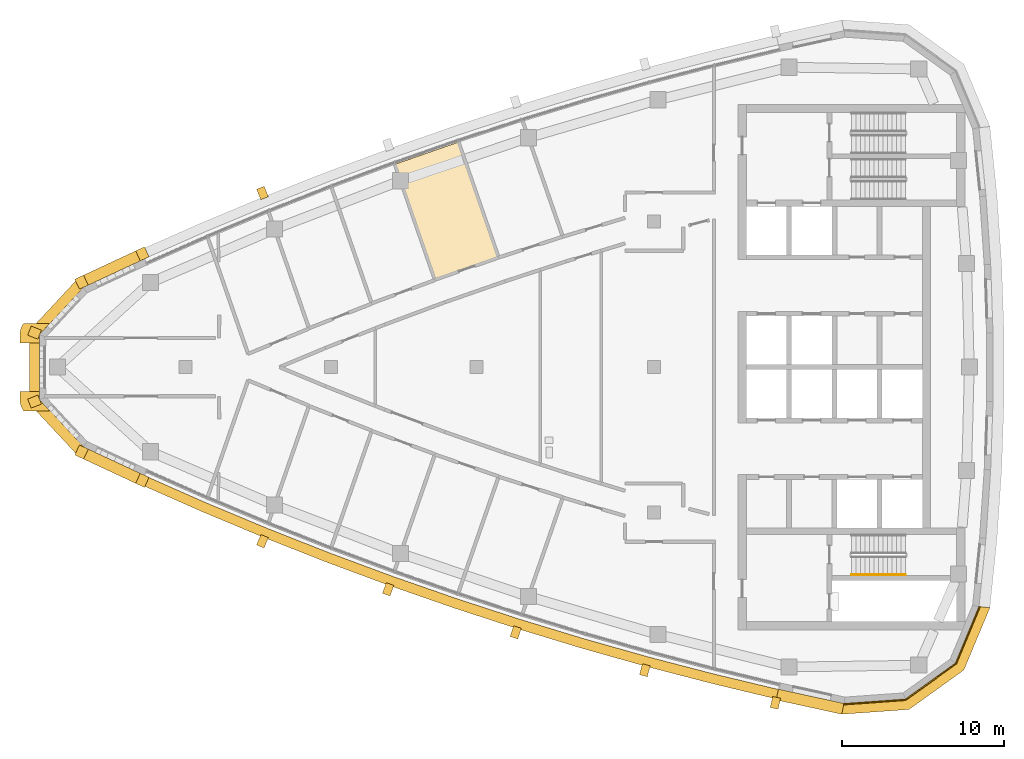
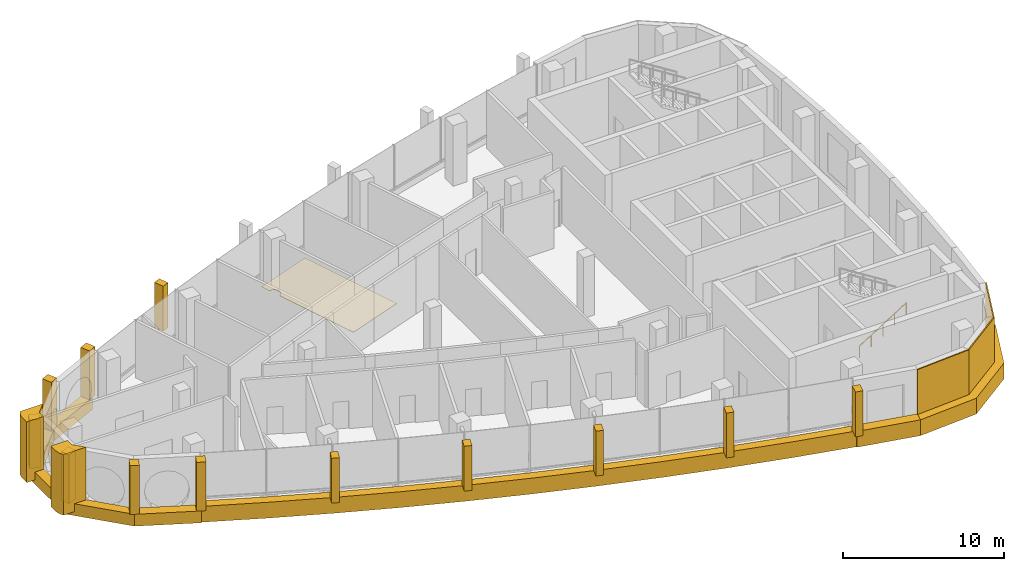
# One storey, part 11 of 15: 22 coverings, 1 railing.
"""IFC4 building model written with IfcOpenShell, lengths in metres."""

from ifc_helpers import new_model, si_unit, direction, frame, frame_2d, origin, origin_2d, place, context, subcontext, project, spatial, polyline, rectangle, circle, outline, extrude, material, layer, layer_set, type_object, element, save


model = new_model("IFC4")

# Units and contexts
model_context = context("Model", 3, precision=1e-05, world=origin(), true_north=direction((0.0, 1.0)))
body_context = subcontext(model_context, "Body", "Model", "MODEL_VIEW")
ifc_project = project(units=[si_unit("LENGTHUNIT", "METRE"), si_unit("AREAUNIT", "SQUARE_METRE"), si_unit("VOLUMEUNIT", "CUBIC_METRE"), si_unit("PLANEANGLEUNIT", "RADIAN"), si_unit("MASSUNIT", "GRAM", prefix="KILO")], contexts=[model_context])

# Site, building, storey
site_placement = place(None, origin())
site = spatial("IfcSite", under=ifc_project, at=site_placement, CompositionType="ELEMENT")
building_placement = place(site_placement, origin())
building = spatial("IfcBuilding", under=site, at=building_placement, Name="Ostrand Prow Hotel Tower", CompositionType="ELEMENT")
storey_placement = place(building_placement, frame((0.0, 0.0, 308.60009765625)))
storey = spatial("IfcBuildingStorey", under=building, at=storey_placement, Name="C1", CompositionType="ELEMENT", Elevation=308.60009765625)

# Coverings
ifc_material_1 = material(Name="Bronze anodised aluminium cladding", Category="aluminium")
ifc_layer_1 = layer(ifc_material_1, 0.60009765625)
ifc_layer_set_1 = layer_set([ifc_layer_1], Name="Bronze anodised aluminium cladding")
covering_type_1 = type_object("IfcCoveringType", Name="Bronze prow band 899x600", PredefinedType="CLADDING", material=ifc_layer_set_1)
covering_1_placement = place(storey_placement, frame((0.0, 0.0, -0.300048828125)))
element("IfcCovering", 1, at=covering_1_placement, inside=storey, type_object=covering_type_1, Name="Bronze prow band", PredefinedType="CLADDING", context=body_context, shape_type="SweptSolid", body=[
    extrude(outline(polyline([(13.195068359375, 7.316162109375), (9.424560546875, 5.559814453125), (6.348388671875, 2.2568359375), (6.348388671875, -2.2568359375), (9.424560546875, -5.559814453125), (13.195068359375, -7.316162109375), (13.47607421875, -6.697021484375), (9.718017578125, -4.9462890625), (6.981201171875, -2.0078125), (6.981201171875, 2.0078125), (9.718017578125, 4.9462890625), (13.47607421875, 6.697021484375), (13.195068359375, 7.316162109375)])), origin(), (0.0, 0.0, 1.0), 0.89990234375),
])
ifc_material_2 = material(Name="Bronze anodised aluminium cladding", Category="aluminium")
ifc_layer_2 = layer(ifc_material_2, 0.60009765625)
ifc_layer_set_2 = layer_set([ifc_layer_2], Name="Bronze anodised aluminium cladding")
covering_type_2 = type_object("IfcCoveringType", Name="Bronze spandrel band 1200x600", PredefinedType="CLADDING", material=ifc_layer_set_2)
covering_2_placement = place(storey_placement, frame((0.0, 0.0, -0.300048828125)))
element("IfcCovering", 2, at=covering_2_placement, inside=storey, type_object=covering_type_2, Name="Spandrel band S1", PredefinedType="CLADDING", context=body_context, shape_type="SweptSolid", body=[
    extrude(outline(polyline([(13.220947265625, -7.25927734375), (17.02490234375, -8.938720703125), (20.86181640625, -10.541748046875), (24.72998046875, -12.067138671875), (28.62841796875, -13.514404296875), (32.5546875, -14.88330078125), (36.508056640625, -16.172607421875), (40.486328125, -17.382568359375), (44.48828125, -18.51220703125), (48.51220703125, -19.56103515625), (52.55615234375, -20.52880859375), (52.68994140625, -19.94384765625), (48.65771484375, -18.97900390625), (44.6455078125, -17.93310546875), (40.6552734375, -16.806884765625), (36.6884765625, -15.6005859375), (32.74658203125, -14.314697265625), (28.83154296875, -12.949951171875), (24.944580078125, -11.5068359375), (21.08740234375, -9.98583984375), (17.26171875, -8.3876953125), (13.468994140625, -6.712890625), (13.220947265625, -7.25927734375)])), origin(), (0.0, 0.0, 1.0), 1.199951171875),
])
covering_3_placement = place(storey_placement, frame((0.0, 0.0, -0.300048828125)))
element("IfcCovering", 3, at=covering_3_placement, inside=storey, type_object=covering_type_2, Name="Spandrel band back 1", PredefinedType="CLADDING", context=body_context, shape_type="SweptSolid", body=[
    extrude(outline(polyline([(52.542236328125, -20.58984375), (56.606201171875, -21.476318359375), (56.744384765625, -20.810546875), (52.69384765625, -19.927001953125), (52.542236328125, -20.58984375)])), origin(), (0.0, 0.0, 1.0), 1.199951171875),
])
covering_4_placement = place(storey_placement, frame((0.0, 0.0, -0.300048828125)))
element("IfcCovering", 4, at=covering_4_placement, inside=storey, type_object=covering_type_2, Name="Spandrel band back 2", PredefinedType="CLADDING", context=body_context, shape_type="SweptSolid", body=[
    extrude(outline(polyline([(56.606201171875, -21.476318359375), (60.771728515625, -21.17919921875), (64.162841796875, -18.741455078125), (65.77197265625, -14.887451171875), (65.17626953125, -14.81591796875), (63.693115234375, -18.3681640625), (60.567626953125, -20.614990234375), (56.72802734375, -20.888916015625), (56.606201171875, -21.476318359375)])), origin(), (0.0, 0.0, 1.0), 1.199951171875),
])
ifc_material_3 = material(Name="Limestone cladding", Category="masonry")
ifc_layer_3 = layer(ifc_material_3, 0.5)
ifc_layer_set_3 = layer_set([ifc_layer_3], Name="Limestone cladding")
covering_type_3 = type_object("IfcCoveringType", Name="Precast stone fin 500x600", PredefinedType="CLADDING", material=ifc_layer_set_3)
for number, where, z_axis, x_axis, name in (
    (5, (20.8994140625, -10.44921875, 0.89990234375), (0.0, 0.0, 1.0), (-0.376377046956, -0.926466577122, 0.0), "Stone fin S 3"),
    (6, (28.662109375, -13.42041015625, 0.89990234375), (0.0, 0.0, 1.0), (-0.338633021138, -0.940918528352, 0.0), "Stone fin S 5"),
):
    element("IfcCovering", number, at=place(storey_placement, frame(where, z_axis=z_axis, x_axis=x_axis)), inside=storey, type_object=covering_type_3, Name=name, PredefinedType="CLADDING", context=body_context, shape_type="SweptSolid", body=[
        extrude(rectangle(XDim=0.699951171875, YDim=0.5, at=frame_2d((0.35009765625, 0.0))), origin(), (0.0, 0.0, 1.0), 3.39990234375),
    ])
for number, where, z_axis, x_axis, name in (
    (7, (36.5380859375, -16.077392578125, 0.89990234375), (0.0, 0.0, 1.0), (-0.30059725976, -0.953751166408, 0.0), "Stone fin S 7"),
    (8, (44.514404296875, -18.41552734375, 0.89990234375), (0.0, 0.0, 1.0), (-0.261848568536, -0.965108971648, 0.0), "Stone fin S 9"),
):
    element("IfcCovering", number, at=place(storey_placement, frame(where, z_axis=z_axis, x_axis=x_axis)), inside=storey, type_object=covering_type_3, Name=name, PredefinedType="CLADDING", context=body_context, shape_type="SweptSolid", body=[
        extrude(rectangle(XDim=0.7001953125, YDim=0.5, at=frame_2d((0.35009765625, 0.0))), origin(), (0.0, 0.0, 1.0), 3.39990234375),
    ])
for number, where, z_axis, x_axis, name in (
    (9, (52.578369140625, -20.431396484375, 0.89990234375), (0.0, 0.0, 1.0), (-0.222872153431, -0.974847682064, 0.0), "Stone fin S 11"),
    (10, (20.8994140625, 10.44921875, 0.89990234375), (0.0, 0.0, 1.0), (-0.376377046956, 0.926466577122, 0.0), "Stone fin N 9"),
):
    element("IfcCovering", number, at=place(storey_placement, frame(where, z_axis=z_axis, x_axis=x_axis)), inside=storey, type_object=covering_type_3, Name=name, PredefinedType="CLADDING", context=body_context, shape_type="SweptSolid", body=[
        extrude(rectangle(XDim=0.699951171875, YDim=0.5, at=frame_2d((0.35009765625, 0.0))), origin(), (0.0, 0.0, 1.0), 3.39990234375),
    ])
ifc_material_4 = material(Name="Limestone cladding", Category="masonry")
ifc_layer_4 = layer(ifc_material_4, 0.60009765625)
ifc_layer_set_4 = layer_set([ifc_layer_4], Name="Limestone cladding")
covering_type_4 = type_object("IfcCoveringType", Name="Precast stone prow rib 600x600", PredefinedType="CLADDING", material=ifc_layer_set_4)
covering_5_placement = place(storey_placement, frame((13.47607421875, 6.697021484375, 0.599853515625), z_axis=(0.0, 0.0, 1.0), x_axis=(-0.413288868051, 0.910599973394, 0.0)))
element("IfcCovering", 11, at=covering_5_placement, inside=storey, type_object=covering_type_4, Name="Stone prow rib 1", PredefinedType="CLADDING", context=body_context, shape_type="SweptSolid", body=[
    extrude(rectangle(XDim=0.679931640625, YDim=0.60009765625, at=frame_2d((0.33984375, 0.0))), origin(), (0.0, 0.0, 1.0), 3.699951171875),
])
covering_6_placement = place(storey_placement, frame((9.718017578125, 4.9462890625, 0.599853515625), z_axis=(0.0, 0.0, 1.0), x_axis=(-0.431493603995, 0.902115995707, 0.0)))
element("IfcCovering", 12, at=covering_6_placement, inside=storey, type_object=covering_type_4, Name="Stone prow rib 2", PredefinedType="CLADDING", context=body_context, shape_type="SweptSolid", body=[
    extrude(rectangle(XDim=0.68017578125, YDim=0.60009765625, at=frame_2d((0.340087890625, 0.0))), origin(), (0.0, 0.0, 1.0), 3.699951171875),
])
for number, where, z_axis, x_axis, name in (
    (13, (6.981201171875, 2.0078125, 0.599853515625), (0.0, 0.0, 1.0), (-0.93054188789, 0.366185465142, 0.0), "Stone prow rib 3"),
    (14, (6.981201171875, -2.0078125, 0.599853515625), (0.0, 0.0, 1.0), (-0.93054188789, -0.366185465142, 0.0), "Stone prow rib 4"),
):
    element("IfcCovering", number, at=place(storey_placement, frame(where, z_axis=z_axis, x_axis=x_axis)), inside=storey, type_object=covering_type_4, Name=name, PredefinedType="CLADDING", context=body_context, shape_type="SweptSolid", body=[
        extrude(rectangle(XDim=0.679931640625, YDim=0.60009765625, at=frame_2d((0.33984375, 0.0))), origin(), (0.0, 0.0, 1.0), 3.699951171875),
    ])
covering_7_placement = place(storey_placement, frame((9.718017578125, -4.9462890625, 0.599853515625), z_axis=(0.0, 0.0, 1.0), x_axis=(-0.431493603995, -0.902115995707, 0.0)))
element("IfcCovering", 15, at=covering_7_placement, inside=storey, type_object=covering_type_4, Name="Stone prow rib 5", PredefinedType="CLADDING", context=body_context, shape_type="SweptSolid", body=[
    extrude(rectangle(XDim=0.68017578125, YDim=0.60009765625, at=frame_2d((0.340087890625, 0.0))), origin(), (0.0, 0.0, 1.0), 3.699951171875),
])
covering_8_placement = place(storey_placement, frame((13.47607421875, -6.697021484375, 0.599853515625), z_axis=(0.0, 0.0, 1.0), x_axis=(-0.413288868051, -0.910599973394, 0.0)))
element("IfcCovering", 16, at=covering_8_placement, inside=storey, type_object=covering_type_4, Name="Stone prow rib 6", PredefinedType="CLADDING", context=body_context, shape_type="SweptSolid", body=[
    extrude(rectangle(XDim=0.679931640625, YDim=0.60009765625, at=frame_2d((0.33984375, 0.0))), origin(), (0.0, 0.0, 1.0), 3.699951171875),
])
ifc_material_5 = material(Name="Limestone cladding", Category="masonry")
ifc_layer_5 = layer(ifc_material_5, 3.0)
ifc_layer_set_5 = layer_set([ifc_layer_5], Name="Limestone cladding")
covering_type_5 = type_object("IfcCoveringType", Name="Prow nose pier limestone", PredefinedType="CLADDING", material=ifc_layer_set_5)
covering_9_placement = place(storey_placement, origin())
element("IfcCovering", 17, at=covering_9_placement, inside=storey, type_object=covering_type_5, Name="Prow spine fin N C1", PredefinedType="CLADDING", context=body_context, shape_type="SweptSolid", body=[
    extrude(outline(polyline([(5.764892578125, 2.01416015625), (5.764892578125, 1.5), (6.96484375, 1.5), (6.96484375, 2.01416015625), (7.603515625, 2.699951171875), (5.981689453125, 2.699951171875), (5.94970703125, 2.654052734375), (5.894287109375, 2.55615234375), (5.84814453125, 2.45361328125), (5.81201171875, 2.34716796875), (5.785888671875, 2.23779296875), (5.77001953125, 2.12646484375), (5.764892578125, 2.01416015625)])), origin(), (0.0, 0.0, 1.0), 4.599853515625),
])
covering_10_placement = place(storey_placement, origin())
element("IfcCovering", 18, at=covering_10_placement, inside=storey, type_object=covering_type_5, Name="Prow spine fin S C1", PredefinedType="CLADDING", context=body_context, shape_type="SweptSolid", body=[
    extrude(outline(polyline([(5.94970703125, -2.654052734375), (5.981689453125, -2.699951171875), (7.603515625, -2.699951171875), (6.96484375, -2.01416015625), (6.96484375, -1.5), (5.764892578125, -1.5), (5.764892578125, -2.01416015625), (5.77001953125, -2.12646484375), (5.785888671875, -2.23779296875), (5.81201171875, -2.34716796875), (5.84814453125, -2.45361328125), (5.894287109375, -2.55615234375), (5.94970703125, -2.654052734375)])), origin(), (0.0, 0.0, 1.0), 4.599853515625),
])

# Railing
ifc_material_6 = material(Name="Stainless steel", Category="steel")
railing_type = type_object("IfcRailingType", Name="Stair handrail 900", PredefinedType="HANDRAIL", material=ifc_material_6)
railing_placement = place(storey_placement, frame((57.199951171875, -12.85009765625, 0.1767578125)))
element("IfcRailing", 19, at=railing_placement, inside=storey, type_object=railing_type, Name="C1 ST2C stair handrail 1", PredefinedType="HANDRAIL", context=body_context, shape_type="SweptSolid", body=[
    extrude(circle(Radius=0.02392578125, at=origin_2d()), frame((0.0, 0.0, 0.8759765625), z_axis=(0.845389635667, 0.0, 0.534150132366), x_axis=(0.0, 1.0, 0.0)), (0.0, 0.0, 1.0), 3.974609375),
    extrude(circle(Radius=0.02099609375, at=origin_2d()), origin(), (0.0, 0.0, 1.0), 0.851806640625),
    extrude(circle(Radius=0.02099609375, at=origin_2d()), frame((0.840087890625, 0.0, 0.53076171875)), (0.0, 0.0, 1.0), 0.851806640625),
    extrude(circle(Radius=0.02099609375, at=origin_2d()), frame((1.68017578125, 0.0, 1.0615234375)), (0.0, 0.0, 1.0), 0.851806640625),
    extrude(circle(Radius=0.02099609375, at=origin_2d()), frame((2.52001953125, 0.0, 1.59228515625)), (0.0, 0.0, 1.0), 0.851806640625),
    extrude(circle(Radius=0.02099609375, at=origin_2d()), frame((3.360107421875, 0.0, 2.123046875)), (0.0, 0.0, 1.0), 0.851806640625),
])

# Coverings
ifc_material_7 = material(Name="Polished limestone", Category="masonry")
ifc_layer_6 = layer(ifc_material_7, 0.030029296875)
ifc_layer_set_6 = layer_set([ifc_layer_6], Name="Polished limestone")
covering_type_6 = type_object("IfcCoveringType", Name="Stone floor finish 30 mm", PredefinedType="FLOORING", material=ifc_layer_set_6)
covering_11_placement = place(storey_placement, origin())
element("IfcCovering", 20, at=covering_11_placement, inside=storey, type_object=covering_type_6, Name="Floor finish Bar", PredefinedType="FLOORING", context=body_context, shape_type="SweptSolid", body=[
    extrude(outline(polyline([(31.4560546875, 5.417236328125), (35.355224609375, 6.776611328125), (32.87890625, 13.915771484375), (28.9794921875, 12.556396484375), (29.202880859375, 11.9130859375), (29.23193359375, 11.92041015625), (29.270751953125, 11.926025390625), (29.31005859375, 11.927978515625), (29.34912109375, 11.926025390625), (29.387939453125, 11.92041015625), (29.426025390625, 11.910888671875), (29.463134765625, 11.897705078125), (29.49853515625, 11.880859375), (29.5322265625, 11.860595703125), (29.563720703125, 11.837158203125), (29.5927734375, 11.810791015625), (29.619140625, 11.78173828125), (29.642578125, 11.750244140625), (29.662841796875, 11.716552734375), (29.6796875, 11.68115234375), (29.69287109375, 11.64404296875), (29.702392578125, 11.60595703125), (29.7080078125, 11.567138671875), (29.7099609375, 11.528076171875), (29.7080078125, 11.48876953125), (29.702392578125, 11.449951171875), (29.69287109375, 11.411865234375), (29.6796875, 11.375), (29.662841796875, 11.33935546875), (29.642578125, 11.305908203125), (29.619140625, 11.274169921875), (29.5927734375, 11.2451171875), (29.563720703125, 11.21875), (29.5322265625, 11.1953125), (29.49853515625, 11.17529296875), (29.46435546875, 11.1591796875), (31.4560546875, 5.417236328125)])), origin(), (0.0, 0.0, 1.0), 0.02978515625),
])
ifc_material_8 = material(Name="Limestone cladding", Category="masonry")
ifc_layer_7 = layer(ifc_material_8, 0.080078125)
ifc_layer_set_7 = layer_set([ifc_layer_7], Name="Limestone cladding")
covering_type_7 = type_object("IfcCoveringType", Name="Warm limestone cladding 80 mm", PredefinedType="CLADDING", material=ifc_layer_set_7)
covering_12_placement = place(storey_placement, frame((56.736083984375, -20.849853515625, 0.0), z_axis=(0.0, 0.0, 1.0), x_axis=(0.997463230726, 0.071183589045, 0.0)))
element("IfcCovering", 21, at=covering_12_placement, inside=storey, type_object=covering_type_7, Name="Limestone cladding back 2", PredefinedType="CLADDING", context=body_context, shape_type="SweptSolid", body=[
    extrude(outline(polyline([(-0.005859375, -0.0400390625), (3.8388671875, -0.0400390625), (3.81640625, 0.0400390625), (0.005859375, 0.0400390625), (-0.005859375, -0.0400390625)])), origin(), (0.0, 0.0, 1.0), 4.2998046875),
])
covering_13_placement = place(storey_placement, frame((60.553955078125, -20.577392578125, 0.0), z_axis=(0.0, 0.0, 1.0), x_axis=(0.811975694159, 0.583691247231, 0.0)))
element("IfcCovering", 22, at=covering_13_placement, inside=storey, type_object=covering_type_7, Name="Limestone cladding back 3", PredefinedType="CLADDING", context=body_context, shape_type="SweptSolid", body=[
    extrude(outline(polyline([(-0.01123046875, -0.0400390625), (3.8388671875, -0.0400390625), (3.81640625, 0.0400390625), (0.01123046875, 0.0400390625), (-0.01123046875, -0.0400390625)])), origin(), (0.0, 0.0, 1.0), 4.2998046875),
])
covering_14_placement = place(storey_placement, frame((63.661865234375, -18.34326171875, 0.0), z_axis=(0.0, 0.0, 1.0), x_axis=(0.385272026688, 0.922803048029, 0.0)))
element("IfcCovering", 23, at=covering_14_placement, inside=storey, type_object=covering_type_7, Name="Limestone cladding back 4", PredefinedType="CLADDING", context=body_context, shape_type="SweptSolid", body=[
    extrude(outline(polyline([(-0.01123046875, -0.0400390625), (3.833251953125, -0.0400390625), (3.821533203125, 0.0400390625), (0.01123046875, 0.0400390625), (-0.01123046875, -0.0400390625)])), origin(), (0.0, 0.0, 1.0), 4.2998046875),
])

save(model, "model.ifc")
